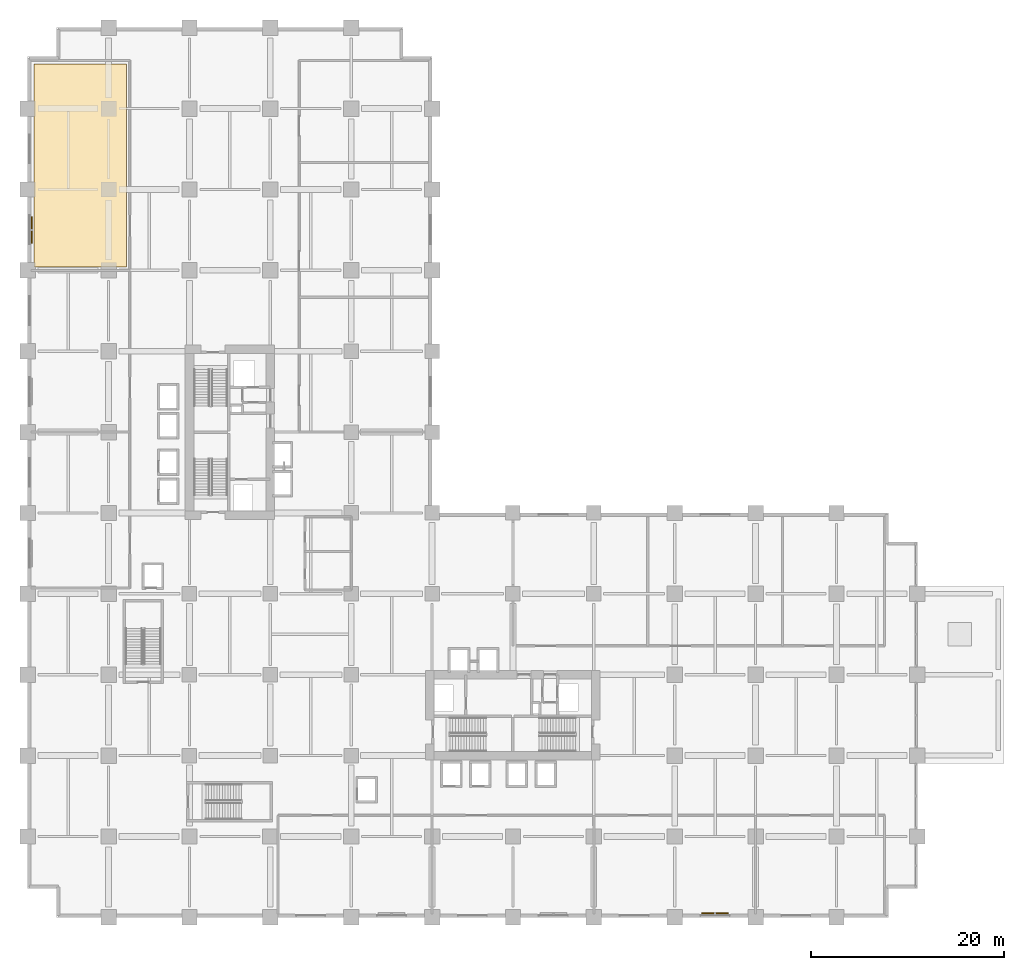
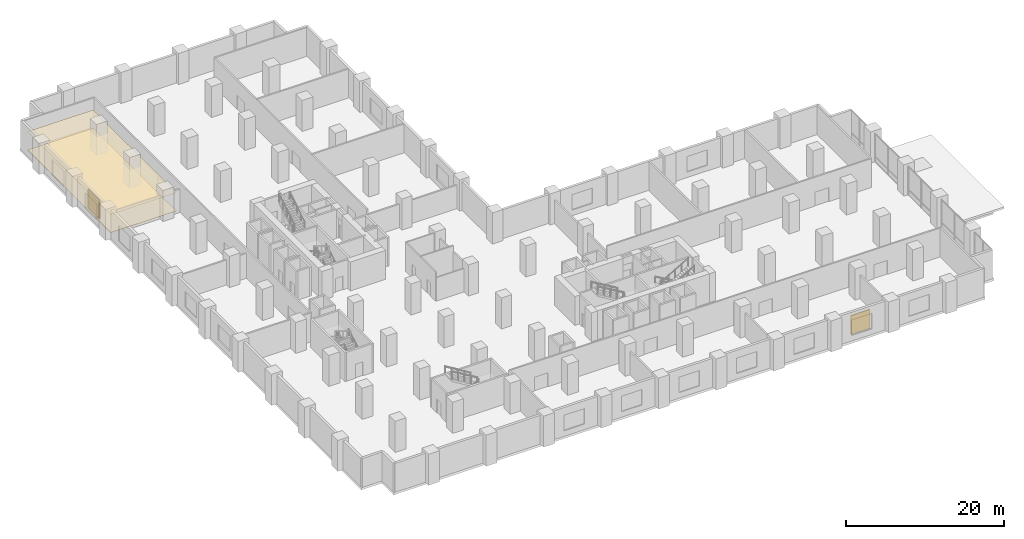
# One storey, part 22 of 22: 2 coverings, 2 shading devices.
"""IFC4 building model written with IfcOpenShell, lengths in metres."""

import ifcopenshell
import ifcopenshell.guid

model = None  # the IFC model being written
_history = None  # IfcOwnerHistory: only IFC2X3 demands one
_inside = {}  # id of a spatial element -> (the spatial element, [elements in it])
_under = {}  # id of a project, library or spatial element -> (it, [spatial elements below it])
_declared = {}  # id of a project -> (the project, [libraries it declares])
_typed = {}  # id of a type object -> (the type object, [elements of that type])
_made_of = {}  # id of a material, layer set ... -> (it, [elements and type objects made of it])


def new_model(schema):
    """Start an empty IFC model of exactly this schema.

    Asked for "IFC4X3", IfcOpenShell would pick the latest addendum, in which some entities
    have other attributes; the version numbers below select the first issue.
    IFC2X3 requires an IfcOwnerHistory on every rooted entity: one is made here for all.
    """
    global model, _history
    if schema == "IFC4X3":
        model = ifcopenshell.file(schema_version=(4, 3, 0, 0))
    else:
        model = ifcopenshell.file(schema=schema)
    _inside.clear()
    _under.clear()
    _declared.clear()
    _typed.clear()
    _made_of.clear()
    _history = None
    if model.schema == "IFC2X3":
        org = make("IfcOrganization", Name="unknown")
        user = make(
            "IfcPersonAndOrganization",
            ThePerson=make("IfcPerson", FamilyName="unknown"),
            TheOrganization=org,
        )
        app = make(
            "IfcApplication",
            ApplicationDeveloper=org,
            Version="unknown",
            ApplicationFullName="unknown",
            ApplicationIdentifier="unknown",
        )
        _history = make(
            "IfcOwnerHistory",
            OwningUser=user,
            OwningApplication=app,
            ChangeAction="ADDED",
            CreationDate=0,
        )
    return model


def make(cls, **values):
    """One entity of the class cls with the attributes given. An attribute that is None is left unset."""
    return model.create_entity(
        cls, **{name: value for name, value in values.items() if value is not None}
    )


def rooted(cls, **values):
    """An entity with a GlobalId (a new one), such as an element, a storey or a relation."""
    return make(cls, GlobalId=ifcopenshell.guid.new(), OwnerHistory=_history, **values)


def si_unit(unit_type, name, prefix=None):
    """IfcSIUnit, for example si_unit("LENGTHUNIT", "METRE", prefix="MILLI")."""
    return make("IfcSIUnit", UnitType=unit_type, Prefix=prefix, Name=name)


def assignment(units):
    """IfcUnitAssignment: the units of a project."""
    return None if units is None else make("IfcUnitAssignment", Units=units)


def point(xyz):
    """IfcCartesianPoint."""
    return None if xyz is None else make("IfcCartesianPoint", Coordinates=xyz)


def direction(xyz):
    """IfcDirection."""
    return None if xyz is None else make("IfcDirection", DirectionRatios=xyz)


def frame(location, z_axis=None, x_axis=None):
    """IfcAxis2Placement3D, a coordinate frame: its origin and axes. An axis left out is left unset."""
    return make(
        "IfcAxis2Placement3D",
        Location=point(location),
        Axis=direction(z_axis),
        RefDirection=direction(x_axis),
    )


def frame_2d(location, x_axis=None):
    """IfcAxis2Placement2D, a coordinate frame in the plane: its origin and x axis."""
    return make(
        "IfcAxis2Placement2D", Location=point(location), RefDirection=direction(x_axis)
    )


def origin():
    """The frame at (0, 0, 0) with its axes left unset."""
    return frame((0.0, 0.0, 0.0))


def origin_2d():
    """The frame at (0, 0) in the plane with its x axis left unset."""
    return frame_2d((0.0, 0.0))


def place(relative_to, where):
    """IfcLocalPlacement: puts the frame where relative to a parent placement (None: the world)."""
    return make(
        "IfcLocalPlacement", PlacementRelTo=relative_to, RelativePlacement=where
    )


def context(
    kind, dimensions, precision=None, world=None, true_north=None, identifier=None
):
    """IfcGeometricRepresentationContext, for example the 3D "Model" context."""
    return make(
        "IfcGeometricRepresentationContext",
        ContextIdentifier=identifier,
        ContextType=kind,
        CoordinateSpaceDimension=dimensions,
        Precision=precision,
        WorldCoordinateSystem=world,
        TrueNorth=true_north,
    )


def subcontext(parent, identifier, kind, view, scale=None):
    """IfcGeometricRepresentationSubContext, for example "Body" below "Model"."""
    return make(
        "IfcGeometricRepresentationSubContext",
        ContextIdentifier=identifier,
        ContextType=kind,
        ParentContext=parent,
        TargetScale=scale,
        TargetView=view,
    )


def project(units=None, contexts=None):
    """IfcProject with its units and contexts."""
    return rooted(
        "IfcProject",
        Name="project",
        RepresentationContexts=contexts,
        UnitsInContext=assignment(units),
    )


def spatial(cls, under=None, at=None, **own):
    """A site, building, storey or space (cls), placed at a placement, below another one or the project."""
    s = rooted(cls, ObjectPlacement=at, **own)
    if under is not None:
        _under.setdefault(under.id(), (under, []))[1].append(s)
    return s


def polyline(points):
    """IfcPolyline through the points."""
    return make("IfcPolyline", Points=[point(p) for p in points])


def profile(cls, at=None, kind="AREA", **sizes):
    """A parametric profile (cls). Its sizes go by their IFC names, for example OverallWidth=200.0."""
    return make(cls, ProfileType=kind, Position=at, **sizes)


def rectangle(**sizes):
    """IfcRectangleProfileDef."""
    return profile("IfcRectangleProfileDef", **sizes)


def outline(outer, holes=None, kind="AREA"):
    """IfcArbitraryClosedProfileDef: a profile drawn as a closed curve; with holes, ...WithVoids."""
    if holes is None:
        return make("IfcArbitraryClosedProfileDef", ProfileType=kind, OuterCurve=outer)
    return make(
        "IfcArbitraryProfileDefWithVoids",
        ProfileType=kind,
        OuterCurve=outer,
        InnerCurves=holes,
    )


def extrude(swept, where, along, depth):
    """IfcExtrudedAreaSolid: the profile swept, set in the frame where, extruded along a direction by depth."""
    return make(
        "IfcExtrudedAreaSolid",
        SweptArea=swept,
        Position=where,
        ExtrudedDirection=direction(along),
        Depth=depth,
    )


def shape(context_of_items, identifier, shape_type, items):
    """IfcShapeRepresentation: the items that make up one representation, for example the "Body"."""
    return make(
        "IfcShapeRepresentation",
        ContextOfItems=context_of_items,
        RepresentationIdentifier=identifier,
        RepresentationType=shape_type,
        Items=items,
    )


def material(Name=None, Category=None):
    """IfcMaterial."""
    return make("IfcMaterial", Name=Name, Category=Category)


def layer(
    of_material, thickness, ventilated=None, Name=None, Category=None, Priority=None
):
    """IfcMaterialLayer: one layer of a wall or slab, of a material (None: an air gap)."""
    return make(
        "IfcMaterialLayer",
        Material=of_material,
        LayerThickness=thickness,
        IsVentilated=ventilated,
        Name=Name,
        Category=Category,
        Priority=Priority,
    )


def layer_set(layers, Name=None):
    """IfcMaterialLayerSet."""
    return make("IfcMaterialLayerSet", MaterialLayers=layers, LayerSetName=Name)


def made_of(thing, what):
    """Note that an element or type object is made of a material, layer set ...; save() writes the relation."""
    if what is not None:
        _made_of.setdefault(what.id(), (what, []))[1].append(thing)
    return thing


def type_object(cls, material=None, **own):
    """A type object (cls), such as IfcWallType, which elements share."""
    return made_of(rooted(cls, **own), material)


def element(
    cls,
    number,
    at=None,
    inside=None,
    cuts=None,
    type_object=None,
    material=None,
    context=None,
    identifier="Body",
    shape_type=None,
    held_by="IfcProductDefinitionShape",
    body=None,
    shapes=None,
    **own,
):
    """One element of the class cls, such as IfcWall. Its Tag is "e" and its number.

    at: its placement. inside: the storey or other place that contains it. cuts: it is an
    opening in that element (IfcRelVoidsElement). A single representation is given by context,
    identifier, shape_type and body (its items); several are given by shapes. held_by: the class
    of the entity that holds the representations. save() writes the other relations.
    """
    e = rooted(cls, Tag="e%d" % number, ObjectPlacement=at, **own)
    if body is not None:
        shapes = [shape(context, identifier, shape_type, body)]
    if shapes is not None:
        e.Representation = make(held_by, Representations=shapes)
    if inside is not None:
        _inside.setdefault(inside.id(), (inside, []))[1].append(e)
    if cuts is not None:
        rooted(
            "IfcRelVoidsElement", RelatingBuildingElement=cuts, RelatedOpeningElement=e
        )
    if type_object is not None:
        _typed.setdefault(type_object.id(), (type_object, []))[1].append(e)
    return made_of(e, material)


def aggregate(whole, parts):
    """IfcRelAggregates: a whole, such as a stair, and the parts it consists of."""
    return rooted("IfcRelAggregates", RelatingObject=whole, RelatedObjects=parts)


def save(model, path):
    """Write the relations noted so far, then the file.

    IfcRelAggregates (storeys below a building ...), IfcRelContainedInSpatialStructure (elements
    in a storey), IfcRelDefinesByType, IfcRelAssociatesMaterial and IfcRelDeclares: one each for
    every whole, place, type object, material and project.
    """
    for whole, parts in _under.values():
        aggregate(whole, parts)
    for where, things in _inside.values():
        rooted(
            "IfcRelContainedInSpatialStructure",
            RelatedElements=things,
            RelatingStructure=where,
        )
    for kind, things in _typed.values():
        rooted("IfcRelDefinesByType", RelatedObjects=things, RelatingType=kind)
    for what, things in _made_of.values():
        rooted("IfcRelAssociatesMaterial", RelatedObjects=things, RelatingMaterial=what)
    for by, libraries in _declared.values():
        rooted("IfcRelDeclares", RelatingContext=by, RelatedDefinitions=libraries)
    model.write(path)


model = new_model("IFC4")

# Units and contexts
model_context = context("Model", 3, precision=1e-05, world=origin(), true_north=direction((0.0, 1.0)))
body_context = subcontext(model_context, "Body", "Model", "MODEL_VIEW")
ifc_project = project(units=[si_unit("LENGTHUNIT", "METRE"), si_unit("AREAUNIT", "SQUARE_METRE"), si_unit("VOLUMEUNIT", "CUBIC_METRE"), si_unit("PLANEANGLEUNIT", "RADIAN"), si_unit("MASSUNIT", "GRAM", prefix="KILO")], contexts=[model_context])

# Site, building, storey
site_placement = place(None, origin())
site = spatial("IfcSite", under=ifc_project, at=site_placement, CompositionType="ELEMENT")
building_placement = place(site_placement, origin())
building = spatial("IfcBuilding", under=site, at=building_placement, Name="Koriwani Terraces Tower", CompositionType="ELEMENT")
storey_placement = place(building_placement, frame((0.0, 0.0, 6.0)))
storey = spatial("IfcBuildingStorey", under=building, at=storey_placement, Name="L01", CompositionType="ELEMENT", Elevation=6.0)

# Coverings
ifc_material_1 = material(Name="Fire-Rated Acoustic Gypsum Partition", Category="masonry")
ifc_layer_1 = layer(ifc_material_1, 0.02490234375, Name="Fire-Rated Acoustic Gypsum Partition")
ifc_layer_set_1 = layer_set([ifc_layer_1], Name="Fire-Rated Acoustic Gypsum Partition")
covering_type_1 = type_object("IfcCoveringType", Name="CEILING_ACOUSTIC_GYPSUM", PredefinedType="CEILING", material=ifc_layer_set_1)
covering_1_placement = place(storey_placement, frame((0.0, 0.0, 2.824951171875)))
element("IfcCovering", 1, at=covering_1_placement, inside=storey, type_object=covering_type_1, Name="L01 Suspended Acoustic Gypsum Ceiling", PredefinedType="CEILING", context=body_context, shape_type="SweptSolid", body=[
    extrude(outline(polyline([(0.64990234375, 67.550048828125), (0.64990234375, 88.64990234375), (10.25, 88.64990234375), (10.25, 67.550048828125), (0.64990234375, 67.550048828125)])), origin(), (0.0, 0.0, 1.0), 0.025146484375),
])
ifc_material_2 = material(Name="Polished Andean Slate Flooring", Category="masonry")
ifc_layer_2 = layer(ifc_material_2, 0.030029296875, Name="Polished Andean Slate Flooring")
ifc_layer_set_2 = layer_set([ifc_layer_2], Name="Polished Andean Slate Flooring")
covering_type_2 = type_object("IfcCoveringType", Name="FLOORING_ANDEAN_STONE", PredefinedType="FLOORING", material=ifc_layer_set_2)
covering_2_placement = place(storey_placement, origin())
element("IfcCovering", 2, at=covering_2_placement, inside=storey, type_object=covering_type_2, Name="L01 Polished Andean Slate Floor Finish", PredefinedType="FLOORING", context=body_context, shape_type="SweptSolid", body=[
    extrude(outline(polyline([(0.64990234375, 67.550048828125), (0.64990234375, 88.64990234375), (10.25, 88.64990234375), (10.25, 67.550048828125), (0.64990234375, 67.550048828125)])), origin(), (0.0, 0.0, 1.0), 0.030029296875),
])

# Shading devices
ifc_material_3 = material(Name="Extruded Terracotta Clay", Category="masonry")
ifc_layer_3 = layer(ifc_material_3, 0.1201171875, Name="Extruded Terracotta Clay")
ifc_layer_set_3 = layer_set([ifc_layer_3], Name="Extruded Terracotta Clay")
shading_device_type = type_object("IfcShadingDeviceType", Name="TERRACOTTA_BAGUETTE_SCREEN_2800", PredefinedType="USERDEFINED", material=ifc_layer_set_3)
for number, where, z_axis, x_axis, name in (
    (3, (0.405029296875, 71.39990234375, 0.775146484375), (0.0, 0.0, 1.0), (0.0, 1.0, 0.0), "L01 Extruded Terracotta Baguette Screen (W-24)"),
    (4, (71.39990234375, 0.405029296875, 0.775146484375), (0.0, 0.0, 1.0), (-1.0, 0.0, 0.0), "L01 Extruded Terracotta Baguette Screen (S-24)"),
):
    element("IfcShadingDevice", number, at=place(storey_placement, frame(where, z_axis=z_axis, x_axis=x_axis)), inside=storey, type_object=shading_device_type, Name=name, ObjectType="BAGUETTE", PredefinedType="USERDEFINED", context=body_context, shape_type="SweptSolid", body=[
        extrude(rectangle(XDim=2.760009765625, YDim=0.1201171875, at=origin_2d()), origin(), (0.0, 0.0, 1.0), 2.89990234375),
    ])

save(model, "model.ifc")
